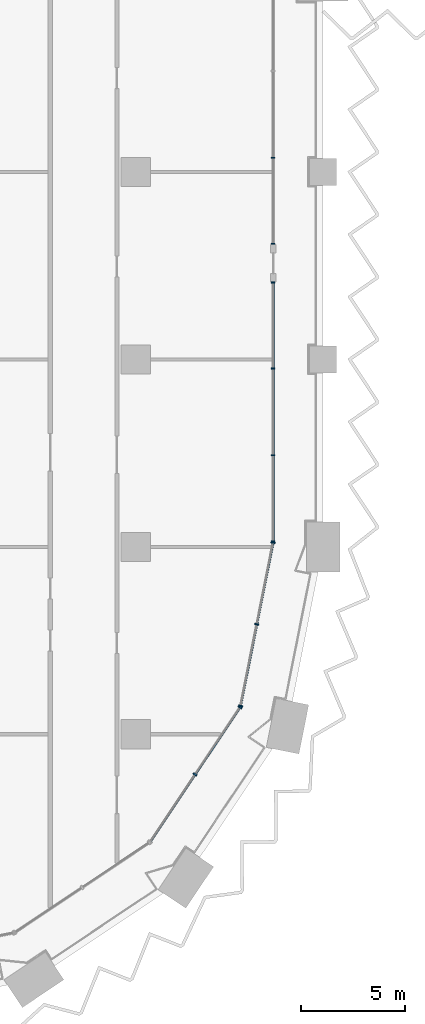
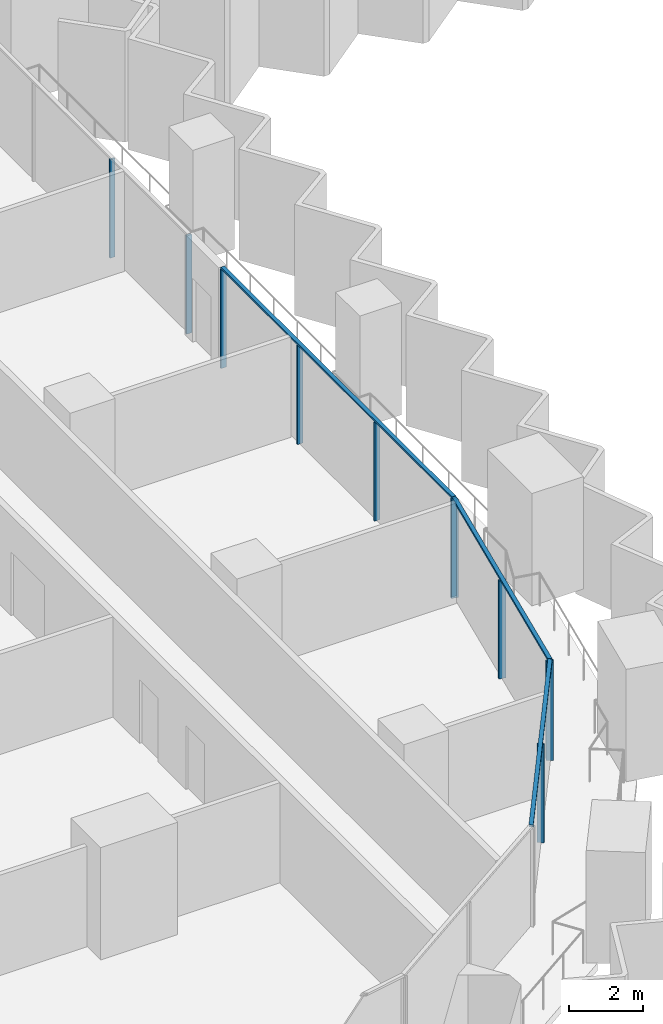
# One storey, part 3 of 28: 14 members, 4 elements without a shape of their own.
"""IFC4 building model written with IfcOpenShell, lengths in metres."""

from ifc_helpers import new_model, si_unit, direction, frame, origin, origin_2d, place, context, subcontext, project, spatial, rectangle, extrude, material, material_profile, profile_set, type_object, element, aggregate, save


model = new_model("IFC4")

# Units and contexts
model_context = context("Model", 3, precision=1e-05, world=origin(), true_north=direction((0.0, 1.0)))
body_context = subcontext(model_context, "Body", "Model", "MODEL_VIEW")
ifc_project = project(units=[si_unit("LENGTHUNIT", "METRE"), si_unit("AREAUNIT", "SQUARE_METRE"), si_unit("VOLUMEUNIT", "CUBIC_METRE"), si_unit("PLANEANGLEUNIT", "RADIAN"), si_unit("MASSUNIT", "GRAM", prefix="KILO")], contexts=[model_context])

# Site, building, storey
site_placement = place(None, origin())
site = spatial("IfcSite", under=ifc_project, at=site_placement, CompositionType="ELEMENT")
building_placement = place(site_placement, origin())
building = spatial("IfcBuilding", under=site, at=building_placement, Name="Hunhe Ridgeline Campus", CompositionType="ELEMENT")
storey_placement = place(building_placement, frame((0.0, 0.0, 35.800048828125)))
storey = spatial("IfcBuildingStorey", under=building, at=storey_placement, Name="L07", CompositionType="ELEMENT", Elevation=35.800048828125)

# Curtain wall, members
ifc_material = material(Name="Aluminium 6063", Category="aluminium")
curtain_wall_type_1 = type_object("IfcCurtainWallType", Name="Curtain wall CW-1", PredefinedType="NOTDEFINED", material=ifc_material)
curtain_wall_1_placement = place(storey_placement, origin())
curtain_wall_1 = element("IfcCurtainWall", 1, at=curtain_wall_1_placement, inside=storey, type_object=curtain_wall_type_1, Name="Curtain wall 11", PredefinedType="NOTDEFINED")
ifc_material_profile_1 = material_profile(ifc_material, rectangle(XDim=0.159912109375, YDim=0.06005859375, at=origin_2d()))
ifc_profile_set_1 = profile_set([ifc_material_profile_1], Name="Aluminium 6063")
member_type_1 = type_object("IfcMemberType", Name="CW-1 aluminium mullion", PredefinedType="MULLION", material=ifc_profile_set_1)
member_1_placement = place(storey_placement, frame((42.59912109375, 27.266357421875, 0.0), z_axis=(0.0, 0.0, 1.0), x_axis=(-1.0, 1.60239e-07, 0.0)))
member_1 = element("IfcMember", 2, at=member_1_placement, type_object=member_type_1, Name="CW-1 mullion 1", PredefinedType="MULLION", context=body_context, shape_type="SweptSolid", body=[
    extrude(rectangle(XDim=0.159912109375, YDim=0.06005859375, at=origin_2d()), origin(), (0.0, 0.0, 1.0), 3.239990234375),
])
member_2_placement = place(storey_placement, frame((42.59912109375, 31.39697265625, 0.0), z_axis=(0.0, 0.0, 1.0), x_axis=(-1.0, 1.60239e-07, 0.0)))
member_2 = element("IfcMember", 3, at=member_2_placement, type_object=member_type_1, Name="CW-1 mullion 2", PredefinedType="MULLION", context=body_context, shape_type="SweptSolid", body=[
    extrude(rectangle(XDim=0.159912109375, YDim=0.06005859375, at=origin_2d()), origin(), (0.0, 0.0, 1.0), 3.239990234375),
])
member_3_placement = place(storey_placement, frame((42.59912109375, 35.5576171875, 0.0), z_axis=(0.0, 0.0, 1.0), x_axis=(-1.0, 1.60239e-07, 0.0)))
member_3 = element("IfcMember", 4, at=member_3_placement, type_object=member_type_1, Name="CW-1 mullion 3", PredefinedType="MULLION", context=body_context, shape_type="SweptSolid", body=[
    extrude(rectangle(XDim=0.159912109375, YDim=0.06005859375, at=origin_2d()), origin(), (0.0, 0.0, 1.0), 3.239990234375),
])
member_4_placement = place(storey_placement, frame((42.59912109375, 39.688232421875, 0.0), z_axis=(0.0, 0.0, 1.0), x_axis=(-1.0, 1.60239e-07, 0.0)))
member_4 = element("IfcMember", 5, at=member_4_placement, type_object=member_type_1, Name="CW-1 mullion 4", PredefinedType="MULLION", context=body_context, shape_type="SweptSolid", body=[
    extrude(rectangle(XDim=0.159912109375, YDim=0.06005859375, at=origin_2d()), origin(), (0.0, 0.0, 1.0), 3.239990234375),
])

curtain_wall_2_placement = place(storey_placement, origin())
curtain_wall_2 = element("IfcCurtainWall", 6, at=curtain_wall_2_placement, inside=storey, type_object=curtain_wall_type_1, Name="Curtain wall 12", PredefinedType="NOTDEFINED")
member_5_placement = place(storey_placement, frame((42.59912109375, 41.54833984375, 0.0), z_axis=(0.0, 0.0, 1.0), x_axis=(-1.0, 1.60239e-07, 0.0)))
member_5 = element("IfcMember", 7, at=member_5_placement, type_object=member_type_1, Name="CW-1 mullion 1", PredefinedType="MULLION", context=body_context, shape_type="SweptSolid", body=[
    extrude(rectangle(XDim=0.159912109375, YDim=0.06005859375, at=origin_2d()), origin(), (0.0, 0.0, 1.0), 3.239990234375),
])
member_6_placement = place(storey_placement, frame((42.59912109375, 45.678955078125, 0.0), z_axis=(0.0, 0.0, 1.0), x_axis=(-1.0, 1.60239e-07, 0.0)))
member_6 = element("IfcMember", 8, at=member_6_placement, type_object=member_type_1, Name="CW-1 mullion 2", PredefinedType="MULLION", context=body_context, shape_type="SweptSolid", body=[
    extrude(rectangle(XDim=0.159912109375, YDim=0.06005859375, at=origin_2d()), origin(), (0.0, 0.0, 1.0), 3.239990234375),
])
aggregate(curtain_wall_2, [member_5, member_6])

# Member
ifc_material_profile_2 = material_profile(ifc_material, rectangle(XDim=0.1201171875, YDim=0.06005859375, at=origin_2d()))
ifc_profile_set_2 = profile_set([ifc_material_profile_2], Name="Aluminium 6063")
member_type_2 = type_object("IfcMemberType", Name="CW-1 aluminium transom", PredefinedType="USERDEFINED", material=ifc_profile_set_2)
member_7_placement = place(storey_placement, frame((42.59912109375, 27.236572265625, 3.27001953125), z_axis=(0.0, 1.0, 0.0), x_axis=(-1.0, 0.0, 0.0)))
member_7 = element("IfcMember", 9, at=member_7_placement, type_object=member_type_2, Name="CW-1 transom 1", ObjectType="TRANSOM", PredefinedType="USERDEFINED", context=body_context, shape_type="SweptSolid", body=[
    extrude(rectangle(XDim=0.1201171875, YDim=0.06005859375, at=origin_2d()), origin(), (0.0, 0.0, 1.0), 12.481689453125),
])

aggregate(curtain_wall_1, [member_7, member_1, member_2, member_3, member_4])

# Curtain wall, members
curtain_wall_type_2 = type_object("IfcCurtainWallType", Name="Curtain wall CW-5", PredefinedType="NOTDEFINED", material=ifc_material)
curtain_wall_3_placement = place(storey_placement, origin())
curtain_wall_3 = element("IfcCurtainWall", 10, at=curtain_wall_3_placement, inside=storey, type_object=curtain_wall_type_2, Name="Curtain wall 09", PredefinedType="NOTDEFINED")
ifc_material_profile_3 = material_profile(ifc_material, rectangle(XDim=0.199951171875, YDim=0.070068359375, at=origin_2d()))
ifc_profile_set_3 = profile_set([ifc_material_profile_3], Name="Aluminium 6063")
member_type_3 = type_object("IfcMemberType", Name="CW-5 aluminium mullion", PredefinedType="MULLION", material=ifc_profile_set_3)
member_8_placement = place(storey_placement, frame((38.852294921875, 16.07373046875, 0.0), z_axis=(0.0, 0.0, 1.0), x_axis=(-0.831469584522, 0.555570274596, 0.0)))
member_8 = element("IfcMember", 11, at=member_8_placement, type_object=member_type_3, Name="CW-5 mullion 2", PredefinedType="MULLION", context=body_context, shape_type="SweptSolid", body=[
    extrude(rectangle(XDim=0.199951171875, YDim=0.070068359375, at=origin_2d()), origin(), (0.0, 0.0, 1.0), 3.22998046875),
])
member_9_placement = place(storey_placement, frame((41.006103515625, 19.29736328125, 0.0), z_axis=(0.0, 0.0, 1.0), x_axis=(-0.831469584522, 0.555570274596, 0.0)))
member_9 = element("IfcMember", 12, at=member_9_placement, type_object=member_type_3, Name="CW-5 mullion 3", PredefinedType="MULLION", context=body_context, shape_type="SweptSolid", body=[
    extrude(rectangle(XDim=0.199951171875, YDim=0.070068359375, at=origin_2d()), origin(), (0.0, 0.0, 1.0), 3.22998046875),
])

curtain_wall_4_placement = place(storey_placement, origin())
curtain_wall_4 = element("IfcCurtainWall", 13, at=curtain_wall_4_placement, inside=storey, type_object=curtain_wall_type_2, Name="Curtain wall 10", PredefinedType="NOTDEFINED")
member_10_placement = place(storey_placement, frame((41.032470703125, 19.36083984375, 0.0), z_axis=(0.0, 0.0, 1.0), x_axis=(-0.980785284939, 0.195090299215, 0.0)))
member_10 = element("IfcMember", 14, at=member_10_placement, type_object=member_type_3, Name="CW-5 mullion 1", PredefinedType="MULLION", context=body_context, shape_type="SweptSolid", body=[
    extrude(rectangle(XDim=0.199951171875, YDim=0.070068359375, at=origin_2d()), origin(), (0.0, 0.0, 1.0), 3.22998046875),
])
member_11_placement = place(storey_placement, frame((41.812255859375, 23.281494140625, 0.0), z_axis=(0.0, 0.0, 1.0), x_axis=(-0.980785284939, 0.195090299215, 0.0)))
member_11 = element("IfcMember", 15, at=member_11_placement, type_object=member_type_3, Name="CW-5 mullion 2", PredefinedType="MULLION", context=body_context, shape_type="SweptSolid", body=[
    extrude(rectangle(XDim=0.199951171875, YDim=0.070068359375, at=origin_2d()), origin(), (0.0, 0.0, 1.0), 3.22998046875),
])
member_12_placement = place(storey_placement, frame((42.59228515625, 27.2021484375, 0.0), z_axis=(0.0, 0.0, 1.0), x_axis=(-0.980785284939, 0.195090299215, 0.0)))
member_12 = element("IfcMember", 16, at=member_12_placement, type_object=member_type_3, Name="CW-5 mullion 3", PredefinedType="MULLION", context=body_context, shape_type="SweptSolid", body=[
    extrude(rectangle(XDim=0.199951171875, YDim=0.070068359375, at=origin_2d()), origin(), (0.0, 0.0, 1.0), 3.22998046875),
])

# Member
ifc_material_profile_4 = material_profile(ifc_material, rectangle(XDim=0.1201171875, YDim=0.070068359375, at=origin_2d()))
ifc_profile_set_4 = profile_set([ifc_material_profile_4], Name="Aluminium 6063")
member_type_4 = type_object("IfcMemberType", Name="CW-5 aluminium transom", PredefinedType="USERDEFINED", material=ifc_profile_set_4)
member_13_placement = place(storey_placement, frame((36.678955078125, 12.821044921875, 3.264892578125), z_axis=(0.5555640203, 0.831473763475, 0.0), x_axis=(-0.831473763475, 0.5555640203, 0.0)))
member_13 = element("IfcMember", 17, at=member_13_placement, type_object=member_type_4, Name="CW-5 transom 1", ObjectType="TRANSOM", PredefinedType="USERDEFINED", context=body_context, shape_type="SweptSolid", body=[
    extrude(rectangle(XDim=0.1201171875, YDim=0.070068359375, at=origin_2d()), origin(), (0.0, 0.0, 1.0), 7.823974609375),
])

aggregate(curtain_wall_3, [member_13, member_8, member_9])

member_14_placement = place(storey_placement, frame((41.025634765625, 19.326416015625, 3.264892578125), z_axis=(0.195097290093, 0.980783894341, 0.0), x_axis=(-0.980783894341, 0.195097290093, 0.0)))
member_14 = element("IfcMember", 18, at=member_14_placement, type_object=member_type_4, Name="CW-5 transom 1", ObjectType="TRANSOM", PredefinedType="USERDEFINED", context=body_context, shape_type="SweptSolid", body=[
    extrude(rectangle(XDim=0.1201171875, YDim=0.070068359375, at=origin_2d()), origin(), (0.0, 0.0, 1.0), 8.065185546875),
])

aggregate(curtain_wall_4, [member_14, member_10, member_11, member_12])

save(model, "model.ifc")
